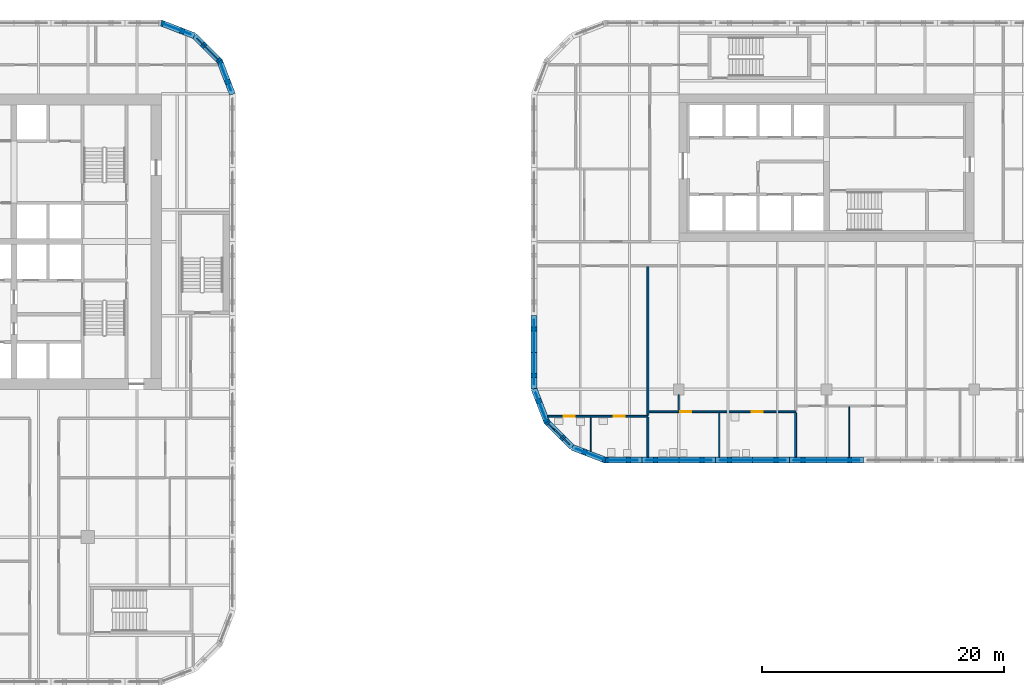
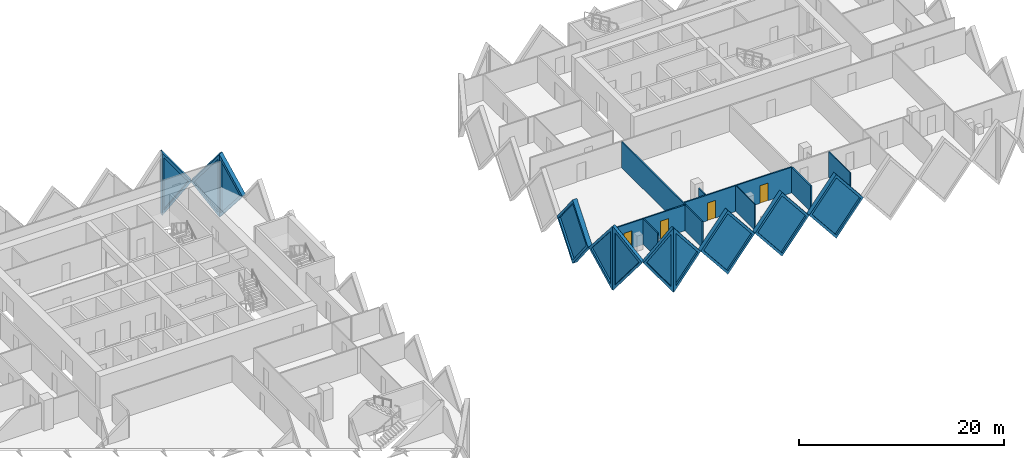
# One storey, part 11 of 20: 20 walls, 11 plates, 4 doors, 15 openings.
"""IFC4 building model written with IfcOpenShell, lengths in metres."""

from ifc_helpers import new_model, si_unit, direction, frame, frame_2d, origin, place, context, subcontext, project, spatial, polyline, rectangle, outline, extrude, faceted_brep, source, transform, mapped, material, layer, layer_set, type_object, element, fill, save


model = new_model("IFC4")

# Units and contexts
model_context = context("Model", 3, precision=1e-05, world=origin(), true_north=direction((0.0, 1.0)))
body_context = subcontext(model_context, "Body", "Model", "MODEL_VIEW")
ifc_project = project(units=[si_unit("LENGTHUNIT", "METRE"), si_unit("AREAUNIT", "SQUARE_METRE"), si_unit("VOLUMEUNIT", "CUBIC_METRE"), si_unit("PLANEANGLEUNIT", "RADIAN"), si_unit("MASSUNIT", "GRAM", prefix="KILO")], contexts=[model_context])

# Site, building, storey
site_placement = place(None, origin())
site = spatial("IfcSite", under=ifc_project, at=site_placement, CompositionType="ELEMENT")
building_placement = place(site_placement, origin())
building = spatial("IfcBuilding", under=site, at=building_placement, Name="Tessera Gate Towers", CompositionType="ELEMENT")
storey_placement = place(building_placement, frame((0.0, 0.0, 48.60009765625)))
storey = spatial("IfcBuildingStorey", under=building, at=storey_placement, Name="L11", CompositionType="ELEMENT", Elevation=48.60009765625)

# Walls
ifc_material_1 = material(Name="Gypsum board on steel studs", Category="steel")
ifc_layer_1 = layer(ifc_material_1, 0.10009765625)
ifc_layer_set_1 = layer_set([ifc_layer_1], Name="PARTITION 100")
wall_type_1 = type_object("IfcWallType", Name="PARTITION 100", PredefinedType="PARTITIONING", material=ifc_layer_set_1)
wall_1_placement = place(storey_placement, frame((100.944091796875, 18.800048828125, 0.0), z_axis=(0.0, 0.0, 1.0), x_axis=(0.0, 1.0, 0.0)))
element("IfcWall", 1, at=wall_1_placement, inside=storey, type_object=wall_type_1, Name="T2-L11-PW-002", PredefinedType="PARTITIONING", context=body_context, shape_type="SweptSolid", body=[
    extrude(rectangle(XDim=3.674072265625, YDim=0.10009765625, at=frame_2d((1.8369140625, 0.0))), origin(), (0.0, 0.0, 1.0), 3.06689453125),
])
wall_2_placement = place(storey_placement, frame((111.669921875, 18.800048828125, 0.0), z_axis=(0.0, 0.0, 1.0), x_axis=(0.0, 1.0, 0.0)))
element("IfcWall", 2, at=wall_2_placement, inside=storey, type_object=wall_type_1, Name="T2-L11-PW-004", PredefinedType="PARTITIONING", context=body_context, shape_type="SweptSolid", body=[
    extrude(rectangle(XDim=4.14892578125, YDim=0.10009765625, at=frame_2d((2.074462890625, 0.0))), origin(), (0.0, 0.0, 1.0), 3.06689453125),
])
wall_3_placement = place(storey_placement, frame((90.320068359375, 19.291015625, 0.0), z_axis=(0.0, 0.0, 1.0), x_axis=(0.0, 1.0, 0.0)))
element("IfcWall", 3, at=wall_3_placement, inside=storey, type_object=wall_type_1, Name="T2-L11-PW-008", PredefinedType="PARTITIONING", context=body_context, shape_type="SweptSolid", body=[
    extrude(rectangle(XDim=2.80810546875, YDim=0.10009765625, at=frame_2d((1.404052734375, 0.0))), origin(), (0.0, 0.0, 1.0), 3.06689453125),
])
wall_4_placement = place(storey_placement, frame((97.60009765625, 23.949951171875, 0.0), z_axis=(0.0, 0.0, 1.0), x_axis=(0.0, -1.0, 0.0)))
element("IfcWall", 4, at=wall_4_placement, inside=storey, type_object=wall_type_1, Name="T2-L11-PW-017", PredefinedType="PARTITIONING", context=body_context, shape_type="SweptSolid", body=[
    extrude(rectangle(XDim=1.324951171875, YDim=0.10009765625, at=frame_2d((0.66259765625, 0.0))), origin(), (0.0, 0.0, 1.0), 3.06689453125),
])
ifc_material_2 = material(Name="Gypsum board on steel studs, mineral wool", Category="steel")
ifc_layer_2 = layer(ifc_material_2, 0.14990234375)
ifc_layer_set_2 = layer_set([ifc_layer_2], Name="TENANCY WALL 150")
wall_type_2 = type_object("IfcWallType", Name="TENANCY WALL 150", PredefinedType="PARTITIONING", material=ifc_layer_set_2)
wall_5_placement = place(storey_placement, frame((95.050048828125, 18.800048828125, 0.0), z_axis=(0.0, 0.0, 1.0), x_axis=(0.0, 1.0, 0.0)))
element("IfcWall", 5, at=wall_5_placement, inside=storey, type_object=wall_type_2, Name="T2-L11-PW-001", PredefinedType="PARTITIONING", context=body_context, shape_type="SweptSolid", body=[
    extrude(rectangle(XDim=3.299072265625, YDim=0.14990234375, at=frame_2d((1.6494140625, 0.0))), origin(), (0.0, 0.0, 1.0), 3.06689453125),
])
wall_6_placement = place(storey_placement, frame((107.25, 18.800048828125, 0.0), z_axis=(0.0, 0.0, 1.0), x_axis=(0.0, 1.0, 0.0)))
element("IfcWall", 6, at=wall_6_placement, inside=storey, type_object=wall_type_2, Name="T2-L11-PW-003", PredefinedType="PARTITIONING", context=body_context, shape_type="SweptSolid", body=[
    extrude(rectangle(XDim=3.674072265625, YDim=0.14990234375, at=frame_2d((1.8369140625, 0.0))), origin(), (0.0, 0.0, 1.0), 3.06689453125),
])

# Wall, openings, doors
wall_7_placement = place(storey_placement, frame((95.050048828125, 22.175048828125, 0.0), z_axis=(0.0, 0.0, 1.0), x_axis=(-1.0, 0.0, 0.0)))
wall_7 = element("IfcWall", 7, at=wall_7_placement, inside=storey, type_object=wall_type_2, Name="T2-L11-PW-009", PredefinedType="PARTITIONING", context=body_context, shape_type="SweptSolid", body=[
    extrude(rectangle(XDim=8.255859375, YDim=0.14990234375, at=frame_2d((4.1279296875, 0.0))), origin(), (0.0, 0.0, 1.0), 3.06689453125),
])
shared_shape_1 = source(origin(), body_context, "Body", "SweptSolid", [
    extrude(rectangle(XDim=0.89990234375, YDim=2.10009765625, at=frame_2d((0.449951171875, 1.050048828125))), frame((0.0, 0.0849609375, 0.0), z_axis=(0.0, -1.0, 0.0), x_axis=(1.0, 0.0, 0.0)), (0.0, 0.0, 1.0), 0.169921875),
])
opening_1_placement = place(wall_7_placement, frame((6.055908203125, 0.0, 0.0)))
opening_1 = element("IfcOpeningElement", 8, at=opening_1_placement, cuts=wall_7, Name="Opening D190-B05-01", PredefinedType="OPENING", context=body_context, shape_type="MappedRepresentation", body=[
    mapped(shared_shape_1, transform((0.0, 0.0, 0.0), scale=1.0)),
])
opening_2_placement = place(wall_7_placement, frame((1.9296875, 0.0, 0.0)))
opening_2 = element("IfcOpeningElement", 9, at=opening_2_placement, cuts=wall_7, Name="Opening D190-B05-04", PredefinedType="OPENING", context=body_context, shape_type="MappedRepresentation", body=[
    mapped(shared_shape_1, transform((0.0, 0.0, 0.0), scale=1.0)),
])
ifc_material_3 = material(Name="Timber door leaf in steel frame", Category="steel")
door_type = type_object("IfcDoorType", Name="INTERNAL DOOR 900 NOT RATED", OperationType="NOTDEFINED", PredefinedType="DOOR", material=ifc_material_3)
shared_shape_2 = source(origin(), body_context, "Body", "SweptSolid", [
    extrude(rectangle(XDim=0.89990234375, YDim=2.10009765625, at=frame_2d((0.449951171875, 1.050048828125))), frame((0.0, 0.02490234375, 0.0), z_axis=(0.0, -1.0, 0.0), x_axis=(1.0, 0.0, 0.0)), (0.0, 0.0, 1.0), 0.050048828125),
])
door_1_placement = place(opening_1_placement, origin())
door_1 = element("IfcDoor", 10, at=door_1_placement, inside=storey, type_object=door_type, Name="T2-L11-PD-001", OperationType="SINGLE_SWING_RIGHT", OverallHeight=2.10009765625, OverallWidth=0.89990234375, PredefinedType="DOOR", context=body_context, shape_type="MappedRepresentation", body=[
    mapped(shared_shape_2, transform((0.0, 0.0, 0.0), scale=1.0)),
])
fill(opening_1, door_1)
door_2_placement = place(opening_2_placement, origin())
door_2 = element("IfcDoor", 11, at=door_2_placement, inside=storey, type_object=door_type, Name="T2-L11-PD-007", OperationType="SINGLE_SWING_RIGHT", OverallHeight=2.10009765625, OverallWidth=0.89990234375, PredefinedType="DOOR", context=body_context, shape_type="MappedRepresentation", body=[
    mapped(shared_shape_2, transform((0.0, 0.0, 0.0), scale=1.0)),
])
fill(opening_2, door_2)

# Wall
wall_8_placement = place(storey_placement, frame((95.050048828125, 22.2509765625, 0.0), z_axis=(0.0, 0.0, 1.0), x_axis=(0.0, 1.0, 0.0)))
element("IfcWall", 12, at=wall_8_placement, inside=storey, type_object=wall_type_2, Name="T2-L11-PW-010", PredefinedType="PARTITIONING", context=body_context, shape_type="SweptSolid", body=[
    extrude(rectangle(XDim=12.27294921875, YDim=0.14990234375, at=frame_2d((6.136474609375, 0.0))), origin(), (0.0, 0.0, 1.0), 3.06689453125),
])

# Wall, openings, doors
wall_9_placement = place(storey_placement, frame((107.25, 22.550048828125, 0.0), z_axis=(0.0, 0.0, 1.0), x_axis=(-1.0, 0.0, 0.0)))
wall_9 = element("IfcWall", 13, at=wall_9_placement, inside=storey, type_object=wall_type_2, Name="T2-L11-PW-011", PredefinedType="PARTITIONING", context=body_context, shape_type="SweptSolid", body=[
    extrude(rectangle(XDim=12.1240234375, YDim=0.14990234375, at=frame_2d((6.06201171875, 0.0))), origin(), (0.0, 0.0, 1.0), 3.06689453125),
])
opening_3_placement = place(wall_9_placement, frame((8.6240234375, 0.0, 0.0)))
opening_3 = element("IfcOpeningElement", 14, at=opening_3_placement, cuts=wall_9, Name="Opening D190-B05-06", PredefinedType="OPENING", context=body_context, shape_type="MappedRepresentation", body=[
    mapped(shared_shape_1, transform((0.0, 0.0, 0.0), scale=1.0)),
])
opening_4_placement = place(wall_9_placement, frame((2.706298828125, 0.0, 0.0)))
opening_4 = element("IfcOpeningElement", 15, at=opening_4_placement, cuts=wall_9, Name="Opening D190-B05-08", PredefinedType="OPENING", context=body_context, shape_type="MappedRepresentation", body=[
    mapped(shared_shape_1, transform((0.0, 0.0, 0.0), scale=1.0)),
])
door_3_placement = place(opening_3_placement, origin())
door_3 = element("IfcDoor", 16, at=door_3_placement, inside=storey, type_object=door_type, Name="T2-L11-PD-009", OperationType="SINGLE_SWING_RIGHT", OverallHeight=2.10009765625, OverallWidth=0.89990234375, PredefinedType="DOOR", context=body_context, shape_type="MappedRepresentation", body=[
    mapped(shared_shape_2, transform((0.0, 0.0, 0.0), scale=1.0)),
])
fill(opening_3, door_3)
door_4_placement = place(opening_4_placement, origin())
door_4 = element("IfcDoor", 17, at=door_4_placement, inside=storey, type_object=door_type, Name="T2-L11-PD-012", OperationType="SINGLE_SWING_RIGHT", OverallHeight=2.10009765625, OverallWidth=0.89990234375, PredefinedType="DOOR", context=body_context, shape_type="MappedRepresentation", body=[
    mapped(shared_shape_2, transform((0.0, 0.0, 0.0), scale=1.0)),
])
fill(opening_4, door_4)

# Wall, opening, plate
ifc_material_4 = material(Name="Precast concrete C60/75 white", Category="concrete")
ifc_layer_3 = layer(ifc_material_4, 0.5)
ifc_layer_set_3 = layer_set([ifc_layer_3], Name="TS1 tessera")
wall_type_3 = type_object("IfcWallType", Name="TS1 tessera", PredefinedType="SOLIDWALL", material=ifc_layer_set_3)
shared_shape_3 = source(origin(), body_context, "Body", "Brep", [
    faceted_brep([(3.050048828125, -0.25, 0.0), (6.099853515625, -0.25, 3.7998046875), (6.099853515625, -0.25, 3.80029296875), (3.050048828125, -0.25, 7.599853515625), (0.0, -0.25, 3.800048828125), (0.0, 0.25, 3.800048828125), (3.050048828125, 0.25, 7.599853515625), (6.099853515625, 0.25, 3.80029296875), (6.099853515625, 0.25, 3.7998046875), (3.050048828125, 0.25, 0.0)], [[[0, 1, 2, 3, 4]], [[5, 6, 7, 8, 9]], [[9, 8, 1, 0]], [[7, 6, 3, 2]], [[6, 5, 4, 3]], [[5, 9, 0, 4]], [[1, 8, 7, 2]]]),
])
wall_10_placement = place(storey_placement, frame((94.550048828125, 18.550048828125, -3.800048828125), z_axis=(0.0, 0.0, 1.0), x_axis=(1.0, 0.0, 0.0)))
wall_10 = element("IfcWall", 18, at=wall_10_placement, inside=storey, type_object=wall_type_3, Name="Precast tessera T2 TS1-0108", PredefinedType="SOLIDWALL", context=body_context, shape_type="MappedRepresentation", body=[
    mapped(shared_shape_3, transform((0.0, 0.0, 0.0), scale=1.0)),
])
shared_shape_4 = source(origin(), body_context, "Body", "SweptSolid", [
    extrude(outline(polyline([(3.050048828125, 0.3994140625), (5.779541015625, 3.800048828125), (3.050048828125, 7.200439453125), (0.320556640625, 3.800048828125), (3.050048828125, 0.3994140625)])), frame((0.0, 0.260009765625, 0.0), z_axis=(0.0, -1.0, 0.0), x_axis=(1.0, 0.0, 0.0)), (0.0, 0.0, 1.0), 0.52001953125),
])
opening_5_placement = place(wall_10_placement, origin())
opening_5 = element("IfcOpeningElement", 19, at=opening_5_placement, cuts=wall_10, Name="Opening T2-PL2-0206", PredefinedType="OPENING", context=body_context, shape_type="MappedRepresentation", body=[
    mapped(shared_shape_4, transform((0.0, 0.0, 0.0), scale=1.0)),
])
ifc_material_5 = material(Name="Low-e laminated glass", Category="glass")
ifc_layer_4 = layer(ifc_material_5, 0.06005859375)
ifc_layer_set_4 = layer_set([ifc_layer_4], Name="PL2 rhombic pane")
plate_type = type_object("IfcPlateType", Name="PL2 rhombic pane", PredefinedType="SHEET", material=ifc_layer_set_4)
shared_shape_5 = source(origin(), body_context, "Body", "SweptSolid", [
    extrude(outline(polyline([(3.050048828125, 0.3994140625), (5.779541015625, 3.800048828125), (3.050048828125, 7.200439453125), (0.320556640625, 3.800048828125), (3.050048828125, 0.3994140625)])), frame((0.0, 0.030029296875, 0.0), z_axis=(0.0, -1.0, 0.0), x_axis=(1.0, 0.0, 0.0)), (0.0, 0.0, 1.0), 0.06005859375),
])
plate_1_placement = place(opening_5_placement, origin())
plate_1 = element("IfcPlate", 20, at=plate_1_placement, inside=storey, type_object=plate_type, Name="Glass pane T2 PL2-0206", PredefinedType="SHEET", context=body_context, shape_type="MappedRepresentation", body=[
    mapped(shared_shape_5, transform((0.0, 0.0, 0.0), scale=1.0)),
])
fill(opening_5, plate_1)

shared_shape_6 = source(origin(), body_context, "Body", "SweptSolid", [
    extrude(outline(polyline([(3.050048828125, 0.0), (6.10009765625, 3.800048828125), (3.050048828125, 7.599853515625), (0.0, 3.800048828125), (3.050048828125, 0.0)])), frame((0.0, 0.25, 0.0), z_axis=(0.0, -1.0, 0.0), x_axis=(1.0, 0.0, 0.0)), (0.0, 0.0, 1.0), 0.5),
])
wall_11_placement = place(storey_placement, frame((100.64990234375, 18.550048828125, -3.800048828125), z_axis=(0.0, 0.0, 1.0), x_axis=(1.0, 0.0, 0.0)))
wall_11 = element("IfcWall", 21, at=wall_11_placement, inside=storey, type_object=wall_type_3, Name="Precast tessera T2 TS1-0109", PredefinedType="SOLIDWALL", context=body_context, shape_type="MappedRepresentation", body=[
    mapped(shared_shape_6, transform((0.0, 0.0, 0.0), scale=1.0)),
])
opening_6_placement = place(wall_11_placement, origin())
opening_6 = element("IfcOpeningElement", 22, at=opening_6_placement, cuts=wall_11, Name="Opening T2-PL2-0207", PredefinedType="OPENING", context=body_context, shape_type="MappedRepresentation", body=[
    mapped(shared_shape_4, transform((0.0, 0.0, 0.0), scale=1.0)),
])
plate_2_placement = place(opening_6_placement, origin())
plate_2 = element("IfcPlate", 23, at=plate_2_placement, inside=storey, type_object=plate_type, Name="Glass pane T2 PL2-0207", PredefinedType="SHEET", context=body_context, shape_type="MappedRepresentation", body=[
    mapped(shared_shape_5, transform((0.0, 0.0, 0.0), scale=1.0)),
])
fill(opening_6, plate_2)

wall_12_placement = place(storey_placement, frame((106.75, 18.550048828125, -3.800048828125), z_axis=(0.0, 0.0, 1.0), x_axis=(1.0, 0.0, 0.0)))
wall_12 = element("IfcWall", 24, at=wall_12_placement, inside=storey, type_object=wall_type_3, Name="Precast tessera T2 TS1-0110", PredefinedType="SOLIDWALL", context=body_context, shape_type="MappedRepresentation", body=[
    mapped(shared_shape_6, transform((0.0, 0.0, 0.0), scale=1.0)),
])
opening_7_placement = place(wall_12_placement, origin())
opening_7 = element("IfcOpeningElement", 25, at=opening_7_placement, cuts=wall_12, Name="Opening T2-PL2-0208", PredefinedType="OPENING", context=body_context, shape_type="MappedRepresentation", body=[
    mapped(shared_shape_4, transform((0.0, 0.0, 0.0), scale=1.0)),
])
plate_3_placement = place(opening_7_placement, origin())
plate_3 = element("IfcPlate", 26, at=plate_3_placement, inside=storey, type_object=plate_type, Name="Glass pane T2 PL2-0208", PredefinedType="SHEET", context=body_context, shape_type="MappedRepresentation", body=[
    mapped(shared_shape_5, transform((0.0, 0.0, 0.0), scale=1.0)),
])
fill(opening_7, plate_3)

shared_shape_7 = source(origin(), body_context, "Body", "Brep", [
    faceted_brep([(3.050048828125, -0.25, 0.0), (6.053466796875, -0.25, 3.800048828125), (3.050048828125, -0.25, 7.599853515625), (0.0, -0.25, 3.800048828125), (0.0, 0.25, 3.800048828125), (3.050048828125, 0.25, 7.599853515625), (6.0068359375, 0.25, 3.85888671875), (6.0068359375, 0.25, 3.7412109375), (3.050048828125, 0.25, 0.0), (6.053466796875, 0.0, 3.800048828125)], [[[0, 1, 2, 3]], [[4, 5, 6, 7, 8]], [[8, 7, 9, 1, 0]], [[6, 5, 2, 1, 9]], [[5, 4, 3, 2]], [[4, 8, 0, 3]], [[7, 6, 9]]]),
])
wall_13_placement = place(storey_placement, frame((85.64990234375, 30.5, -3.800048828125), z_axis=(0.0, 0.0, 1.0), x_axis=(0.0, -1.0, 0.0)))
wall_13 = element("IfcWall", 27, at=wall_13_placement, inside=storey, type_object=wall_type_3, Name="Precast tessera T2 TS1-0125", PredefinedType="SOLIDWALL", context=body_context, shape_type="MappedRepresentation", body=[
    mapped(shared_shape_7, transform((0.0, 0.0, 0.0), scale=1.0)),
])
shared_shape_8 = source(origin(), body_context, "Body", "SweptSolid", [
    extrude(outline(polyline([(3.048583984375, 0.401123046875), (5.73486328125, 3.800048828125), (3.048583984375, 7.19873046875), (0.320556640625, 3.800048828125), (3.048583984375, 0.401123046875)])), frame((0.0, 0.260009765625, 0.0), z_axis=(0.0, -1.0, 0.0), x_axis=(1.0, 0.0, 0.0)), (0.0, 0.0, 1.0), 0.52001953125),
])
opening_8_placement = place(wall_13_placement, origin())
opening_8 = element("IfcOpeningElement", 28, at=opening_8_placement, cuts=wall_13, Name="Opening T2-PL2-0235", PredefinedType="OPENING", context=body_context, shape_type="MappedRepresentation", body=[
    mapped(shared_shape_8, transform((0.0, 0.0, 0.0), scale=1.0)),
])
shared_shape_9 = source(origin(), body_context, "Body", "SweptSolid", [
    extrude(outline(polyline([(3.048583984375, 0.401123046875), (5.73486328125, 3.800048828125), (3.048583984375, 7.19873046875), (0.320556640625, 3.800048828125), (3.048583984375, 0.401123046875)])), frame((0.0, 0.030029296875, 0.0), z_axis=(0.0, -1.0, 0.0), x_axis=(1.0, 0.0, 0.0)), (0.0, 0.0, 1.0), 0.06005859375),
])
plate_4_placement = place(opening_8_placement, origin())
plate_4 = element("IfcPlate", 29, at=plate_4_placement, inside=storey, type_object=plate_type, Name="Glass pane T2 PL2-0235", PredefinedType="SHEET", context=body_context, shape_type="MappedRepresentation", body=[
    mapped(shared_shape_9, transform((0.0, 0.0, 0.0), scale=1.0)),
])
fill(opening_8, plate_4)

ifc_material_6 = material(Name="Precast concrete C60/75 white", Category="concrete")
ifc_layer_5 = layer(ifc_material_6, 0.5)
ifc_layer_set_5 = layer_set([ifc_layer_5], Name="TS3 corner tessera")
wall_type_4 = type_object("IfcWallType", Name="TS3 corner tessera", PredefinedType="SOLIDWALL", material=ifc_layer_set_5)
shared_shape_10 = source(origin(), body_context, "Body", "Brep", [
    faceted_brep([(2.950439453125, -0.25, 0.0), (2.9970703125, -0.25, 0.05908203125), (2.9970703125, -0.25, 7.540771484375), (2.950439453125, -0.25, 7.599853515625), (0.0, -0.25, 3.800048828125), (0.052978515625, 0.25, 3.8681640625), (2.904052734375, 0.25, 7.5400390625), (2.904052734375, 0.25, 0.059814453125), (0.052978515625, 0.25, 3.73193359375), (2.950439453125, 0.00048828125, 0.0), (2.950439453125, 0.00048828125, 7.599853515625), (0.0, 0.0, 3.800048828125)], [[[0, 1, 2, 3, 4]], [[5, 6, 7, 8]], [[1, 0, 9]], [[10, 3, 2]], [[6, 5, 11, 4, 3, 10]], [[8, 7, 9, 0, 4, 11]], [[8, 11, 5]], [[1, 9, 7, 6, 10, 2]]]),
])
wall_14_placement = place(storey_placement, frame((57.606201171875, 53.588134765625, -3.800048828125), z_axis=(0.0, 0.0, 1.0), x_axis=(-0.932990326376, 0.359901446078, 0.0)))
wall_14 = element("IfcWall", 30, at=wall_14_placement, inside=storey, type_object=wall_type_4, Name="Precast corner tessera T1 TS3-0225", PredefinedType="SOLIDWALL", context=body_context, shape_type="MappedRepresentation", body=[
    mapped(shared_shape_10, transform((0.0, 0.0, 0.0), scale=1.0)),
])
shared_shape_11 = source(origin(), body_context, "Body", "SweptSolid", [
    extrude(outline(polyline([(2.75048828125, 6.934814453125), (0.31640625, 3.800048828125), (2.75048828125, 0.665283203125), (2.75048828125, 6.934814453125)])), frame((0.0, 0.260009765625, 0.0), z_axis=(0.0, -1.0, 0.0), x_axis=(1.0, 0.0, 0.0)), (0.0, 0.0, 1.0), 0.52001953125),
])
opening_9_placement = place(wall_14_placement, origin())
opening_9 = element("IfcOpeningElement", 31, at=opening_9_placement, cuts=wall_14, Name="Opening T1-PL2-0300", PredefinedType="OPENING", context=body_context, shape_type="MappedRepresentation", body=[
    mapped(shared_shape_11, transform((0.0, 0.0, 0.0), scale=1.0)),
])
shared_shape_12 = source(origin(), body_context, "Body", "SweptSolid", [
    extrude(outline(polyline([(2.75048828125, 6.934814453125), (0.31640625, 3.800048828125), (2.75048828125, 0.665283203125), (2.75048828125, 6.934814453125)])), frame((0.0, 0.030029296875, 0.0), z_axis=(0.0, -1.0, 0.0), x_axis=(1.0, 0.0, 0.0)), (0.0, 0.0, 1.0), 0.06005859375),
])
plate_5_placement = place(opening_9_placement, origin())
plate_5 = element("IfcPlate", 32, at=plate_5_placement, inside=storey, type_object=plate_type, Name="Glass pane T1 PL2-0300", PredefinedType="SHEET", context=body_context, shape_type="MappedRepresentation", body=[
    mapped(shared_shape_12, transform((0.0, 0.0, 0.0), scale=1.0)),
])
fill(opening_9, plate_5)

shared_shape_13 = source(origin(), body_context, "Body", "Brep", [
    faceted_brep([(0.046630859375, -0.25, 0.0), (3.050048828125, -0.25, 3.800048828125), (0.046630859375, -0.25, 7.599853515625), (0.0, -0.25, 7.539794921875), (0.0, -0.25, 0.06005859375), (0.09326171875, 0.25, 7.541015625), (3.050048828125, 0.25, 3.800048828125), (0.09326171875, 0.25, 0.058837890625), (0.046630859375, 0.0, 0.0), (0.046630859375, 0.0, 7.599853515625)], [[[0, 1, 2, 3, 4]], [[5, 6, 7]], [[7, 6, 1, 0, 8]], [[6, 5, 9, 2, 1]], [[3, 2, 9]], [[8, 0, 4]], [[7, 8, 4, 3, 9, 5]]]),
])
wall_15_placement = place(storey_placement, frame((91.5, 18.550048828125, -3.800048828125), z_axis=(0.0, 0.0, 1.0), x_axis=(1.0, 0.0, 0.0)))
wall_15 = element("IfcWall", 33, at=wall_15_placement, inside=storey, type_object=wall_type_4, Name="Precast corner tessera T2 TS3-0145", PredefinedType="SOLIDWALL", context=body_context, shape_type="MappedRepresentation", body=[
    mapped(shared_shape_13, transform((0.0, 0.0, 0.0), scale=1.0)),
])
shared_shape_14 = source(origin(), body_context, "Body", "SweptSolid", [
    extrude(outline(polyline([(0.24658203125, 0.65625), (2.7314453125, 3.800048828125), (0.24658203125, 6.94384765625), (0.24658203125, 0.65625)])), frame((0.0, 0.260009765625, 0.0), z_axis=(0.0, -1.0, 0.0), x_axis=(1.0, 0.0, 0.0)), (0.0, 0.0, 1.0), 0.52001953125),
])
opening_10_placement = place(wall_15_placement, origin())
opening_10 = element("IfcOpeningElement", 34, at=opening_10_placement, cuts=wall_15, Name="Opening T2-PL2-0204", PredefinedType="OPENING", context=body_context, shape_type="MappedRepresentation", body=[
    mapped(shared_shape_14, transform((0.0, 0.0, 0.0), scale=1.0)),
])
shared_shape_15 = source(origin(), body_context, "Body", "SweptSolid", [
    extrude(outline(polyline([(0.24658203125, 0.65625), (2.7314453125, 3.800048828125), (0.24658203125, 6.94384765625), (0.24658203125, 0.65625)])), frame((0.0, 0.030029296875, 0.0), z_axis=(0.0, -1.0, 0.0), x_axis=(1.0, 0.0, 0.0)), (0.0, 0.0, 1.0), 0.06005859375),
])
plate_6_placement = place(opening_10_placement, origin())
plate_6 = element("IfcPlate", 35, at=plate_6_placement, inside=storey, type_object=plate_type, Name="Glass pane T2 PL2-0204", PredefinedType="SHEET", context=body_context, shape_type="MappedRepresentation", body=[
    mapped(shared_shape_15, transform((0.0, 0.0, 0.0), scale=1.0)),
])
fill(opening_10, plate_6)

shared_shape_16 = source(origin(), body_context, "Body", "Brep", [
    faceted_brep([(0.052978515625, -0.25, 0.0), (2.9970703125, -0.25, 3.800048828125), (0.052978515625, -0.25, 7.599853515625), (0.0, -0.25, 7.53173828125), (0.0, -0.25, 0.068115234375), (0.10595703125, 0.25, 7.531494140625), (2.944091796875, 0.25, 3.8681640625), (2.944091796875, 0.25, 3.73193359375), (0.10595703125, 0.25, 0.068359375), (2.9970703125, 0.000244140625, 3.800048828125), (0.052978515625, 0.0, 0.0), (0.052978515625, 0.0, 7.599853515625)], [[[0, 1, 2, 3, 4]], [[5, 6, 7, 8]], [[8, 7, 9, 1, 0, 10]], [[6, 5, 11, 2, 1, 9]], [[3, 2, 11]], [[10, 0, 4]], [[8, 10, 4, 3, 11, 5]], [[7, 6, 9]]]),
])
wall_16_placement = place(storey_placement, frame((86.674560546875, 21.731201171875, -3.800048828125), z_axis=(0.0, 0.0, 1.0), x_axis=(0.707106781187, -0.707106781187, 0.0)))
wall_16 = element("IfcWall", 36, at=wall_16_placement, inside=storey, type_object=wall_type_4, Name="Precast corner tessera T2 TS3-0160", PredefinedType="SOLIDWALL", context=body_context, shape_type="MappedRepresentation", body=[
    mapped(shared_shape_16, transform((0.0, 0.0, 0.0), scale=1.0)),
])
shared_shape_17 = source(origin(), body_context, "Body", "SweptSolid", [
    extrude(outline(polyline([(0.2529296875, 0.666259765625), (2.680908203125, 3.800048828125), (0.2529296875, 6.93359375), (0.2529296875, 0.666259765625)])), frame((0.0, 0.260009765625, 0.0), z_axis=(0.0, -1.0, 0.0), x_axis=(1.0, 0.0, 0.0)), (0.0, 0.0, 1.0), 0.52001953125),
])
opening_11_placement = place(wall_16_placement, origin())
opening_11 = element("IfcOpeningElement", 37, at=opening_11_placement, cuts=wall_16, Name="Opening T2-PL2-0237", PredefinedType="OPENING", context=body_context, shape_type="MappedRepresentation", body=[
    mapped(shared_shape_17, transform((0.0, 0.0, 0.0), scale=1.0)),
])
shared_shape_18 = source(origin(), body_context, "Body", "SweptSolid", [
    extrude(outline(polyline([(0.2529296875, 0.666259765625), (2.680908203125, 3.800048828125), (0.2529296875, 6.93359375), (0.2529296875, 0.666259765625)])), frame((0.0, 0.030029296875, 0.0), z_axis=(0.0, -1.0, 0.0), x_axis=(1.0, 0.0, 0.0)), (0.0, 0.0, 1.0), 0.06005859375),
])
plate_7_placement = place(opening_11_placement, origin())
plate_7 = element("IfcPlate", 38, at=plate_7_placement, inside=storey, type_object=plate_type, Name="Glass pane T2 PL2-0237", PredefinedType="SHEET", context=body_context, shape_type="MappedRepresentation", body=[
    mapped(shared_shape_18, transform((0.0, 0.0, 0.0), scale=1.0)),
])
fill(opening_11, plate_7)

shared_shape_19 = source(origin(), body_context, "Body", "Brep", [
    faceted_brep([(2.950439453125, -0.25, 0.0), (2.9970703125, -0.25, 0.05908203125), (2.9970703125, -0.25, 7.540771484375), (2.950439453125, -0.25, 7.599853515625), (0.0, -0.25, 3.800048828125), (0.052978515625, 0.25, 3.8681640625), (2.904052734375, 0.25, 7.5400390625), (2.904052734375, 0.25, 0.059814453125), (0.052978515625, 0.25, 3.73193359375), (2.950439453125, 0.00048828125, 0.0), (2.950439453125, 0.00048828125, 7.599853515625), (0.0, 0.0, 3.800048828125)], [[[0, 1, 2, 3, 4]], [[5, 6, 7, 8]], [[1, 0, 9]], [[10, 3, 2]], [[6, 5, 11, 4, 3, 10]], [[8, 7, 9, 0, 4, 11]], [[8, 11, 5]], [[1, 9, 7, 6, 10, 2]]]),
])
wall_17_placement = place(storey_placement, frame((88.793701171875, 19.61181640625, -3.800048828125), z_axis=(0.0, 0.0, 1.0), x_axis=(0.933000876937, -0.359874094142, 0.0)))
wall_17 = element("IfcWall", 39, at=wall_17_placement, inside=storey, type_object=wall_type_4, Name="Precast corner tessera T2 TS3-0146", PredefinedType="SOLIDWALL", context=body_context, shape_type="MappedRepresentation", body=[
    mapped(shared_shape_19, transform((0.0, 0.0, 0.0), scale=1.0)),
])
opening_12_placement = place(wall_17_placement, origin())
opening_12 = element("IfcOpeningElement", 40, at=opening_12_placement, cuts=wall_17, Name="Opening T2-PL2-0205", PredefinedType="OPENING", context=body_context, shape_type="MappedRepresentation", body=[
    mapped(shared_shape_11, transform((0.0, 0.0, 0.0), scale=1.0)),
])
plate_8_placement = place(opening_12_placement, origin())
plate_8 = element("IfcPlate", 41, at=plate_8_placement, inside=storey, type_object=plate_type, Name="Glass pane T2 PL2-0205", PredefinedType="SHEET", context=body_context, shape_type="MappedRepresentation", body=[
    mapped(shared_shape_12, transform((0.0, 0.0, 0.0), scale=1.0)),
])
fill(opening_12, plate_8)

shared_shape_20 = source(origin(), body_context, "Body", "Brep", [
    faceted_brep([(2.950439453125, -0.25, 0.0), (3.00341796875, -0.25, 0.068359375), (3.00341796875, -0.25, 7.531494140625), (2.950439453125, -0.25, 7.599853515625), (0.0, -0.25, 3.800048828125), (0.046630859375, 0.25, 3.860107421875), (2.897705078125, 0.25, 7.53173828125), (2.897705078125, 0.25, 0.068115234375), (0.046630859375, 0.25, 3.739990234375), (2.950439453125, 0.00048828125, 0.0), (2.950439453125, 0.00048828125, 7.599853515625), (0.0, 0.0, 3.800048828125)], [[[0, 1, 2, 3, 4]], [[5, 6, 7, 8]], [[1, 0, 9]], [[10, 3, 2]], [[6, 5, 11, 4, 3, 10]], [[8, 7, 9, 0, 4, 11]], [[8, 11, 5]], [[1, 9, 7, 6, 10, 2]]]),
])
wall_18_placement = place(storey_placement, frame((60.75, 48.75341796875, -3.800048828125), z_axis=(0.0, 0.0, 1.0), x_axis=(-0.35992665181, 0.932980602862, 0.0)))
wall_18 = element("IfcWall", 42, at=wall_18_placement, inside=storey, type_object=wall_type_4, Name="Precast corner tessera T1 TS3-0223", PredefinedType="SOLIDWALL", context=body_context, shape_type="MappedRepresentation", body=[
    mapped(shared_shape_20, transform((0.0, 0.0, 0.0), scale=1.0)),
])
opening_13_placement = place(wall_18_placement, origin())
opening_13 = element("IfcOpeningElement", 43, at=opening_13_placement, cuts=wall_18, Name="Opening T1-PL2-0298", PredefinedType="OPENING", context=body_context, shape_type="MappedRepresentation", body=[
    mapped(shared_shape_11, transform((0.0, 0.0, 0.0), scale=1.0)),
])
plate_9_placement = place(opening_13_placement, origin())
plate_9 = element("IfcPlate", 44, at=plate_9_placement, inside=storey, type_object=plate_type, Name="Glass pane T1 PL2-0298", PredefinedType="SHEET", context=body_context, shape_type="MappedRepresentation", body=[
    mapped(shared_shape_12, transform((0.0, 0.0, 0.0), scale=1.0)),
])
fill(opening_13, plate_9)

wall_19_placement = place(storey_placement, frame((85.64990234375, 24.446533203125, -3.800048828125), z_axis=(0.0, 0.0, 1.0), x_axis=(0.35992665181, -0.932980602862, 0.0)))
wall_19 = element("IfcWall", 45, at=wall_19_placement, inside=storey, type_object=wall_type_4, Name="Precast corner tessera T2 TS3-0159", PredefinedType="SOLIDWALL", context=body_context, shape_type="MappedRepresentation", body=[
    mapped(shared_shape_20, transform((0.0, 0.0, 0.0), scale=1.0)),
])
opening_14_placement = place(wall_19_placement, origin())
opening_14 = element("IfcOpeningElement", 46, at=opening_14_placement, cuts=wall_19, Name="Opening T2-PL2-0236", PredefinedType="OPENING", context=body_context, shape_type="MappedRepresentation", body=[
    mapped(shared_shape_11, transform((0.0, 0.0, 0.0), scale=1.0)),
])
plate_10_placement = place(opening_14_placement, origin())
plate_10 = element("IfcPlate", 47, at=plate_10_placement, inside=storey, type_object=plate_type, Name="Glass pane T2 PL2-0236", PredefinedType="SHEET", context=body_context, shape_type="MappedRepresentation", body=[
    mapped(shared_shape_12, transform((0.0, 0.0, 0.0), scale=1.0)),
])
fill(opening_14, plate_10)

shared_shape_21 = source(origin(), body_context, "Body", "Brep", [
    faceted_brep([(0.052978515625, -0.25, 0.0), (2.9970703125, -0.25, 3.800048828125), (0.052978515625, -0.25, 7.599853515625), (0.0, -0.25, 7.53173828125), (0.0, -0.25, 0.068115234375), (0.10595703125, 0.25, 7.531494140625), (2.944091796875, 0.25, 3.8681640625), (2.944091796875, 0.25, 3.73193359375), (0.10595703125, 0.25, 0.068359375), (2.9970703125, 0.000244140625, 3.800048828125), (0.052978515625, 0.0, 0.0), (0.052978515625, 0.0, 7.599853515625)], [[[0, 1, 2, 3, 4]], [[5, 6, 7, 8]], [[8, 7, 9, 1, 0, 10]], [[6, 5, 11, 2, 1, 9]], [[3, 2, 11]], [[10, 0, 4]], [[8, 10, 4, 3, 11, 5]], [[7, 6, 9]]]),
])
wall_20_placement = place(storey_placement, frame((59.7255859375, 51.46875, -3.800048828125), z_axis=(0.0, 0.0, 1.0), x_axis=(-0.707106781187, 0.707106781187, 0.0)))
wall_20 = element("IfcWall", 48, at=wall_20_placement, inside=storey, type_object=wall_type_4, Name="Precast corner tessera T1 TS3-0224", PredefinedType="SOLIDWALL", context=body_context, shape_type="MappedRepresentation", body=[
    mapped(shared_shape_21, transform((0.0, 0.0, 0.0), scale=1.0)),
])
opening_15_placement = place(wall_20_placement, origin())
opening_15 = element("IfcOpeningElement", 49, at=opening_15_placement, cuts=wall_20, Name="Opening T1-PL2-0299", PredefinedType="OPENING", context=body_context, shape_type="MappedRepresentation", body=[
    mapped(shared_shape_17, transform((0.0, 0.0, 0.0), scale=1.0)),
])
plate_11_placement = place(opening_15_placement, origin())
plate_11 = element("IfcPlate", 50, at=plate_11_placement, inside=storey, type_object=plate_type, Name="Glass pane T1 PL2-0299", PredefinedType="SHEET", context=body_context, shape_type="MappedRepresentation", body=[
    mapped(shared_shape_18, transform((0.0, 0.0, 0.0), scale=1.0)),
])
fill(opening_15, plate_11)

save(model, "model.ifc")
